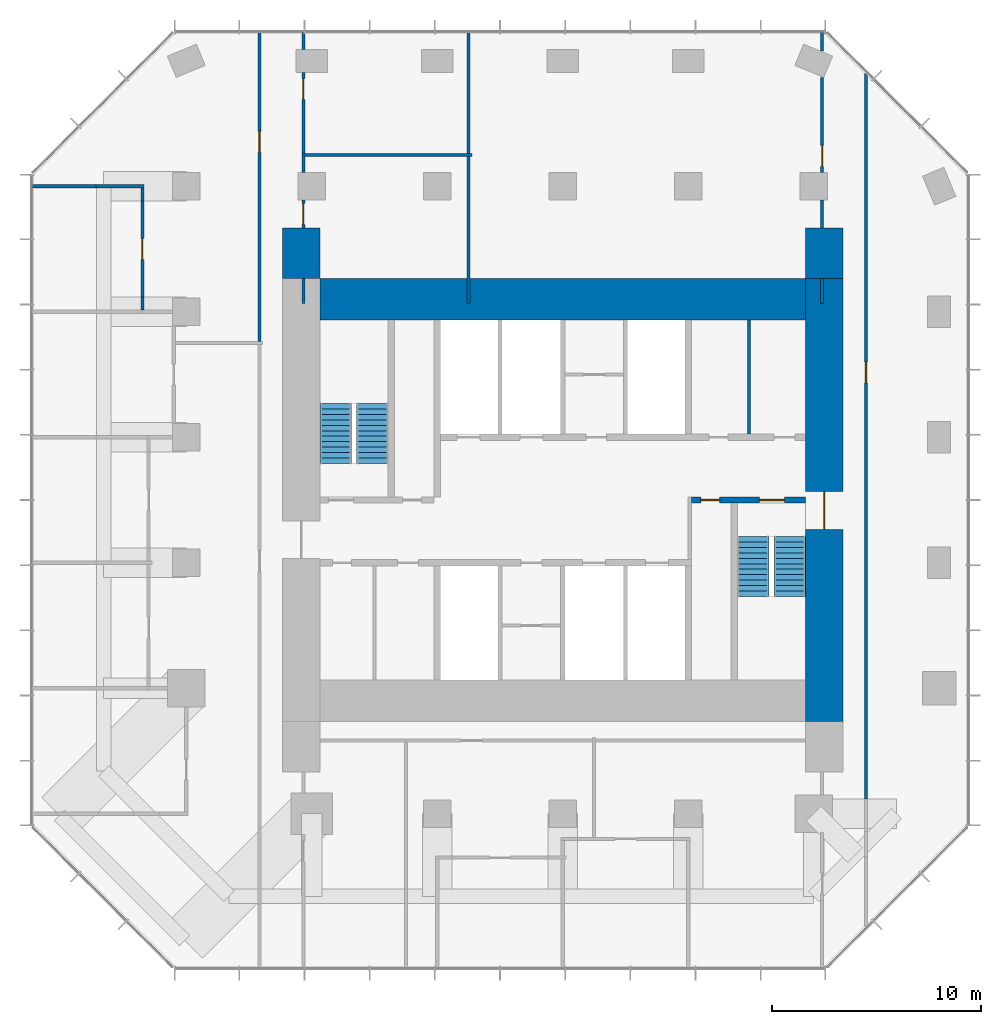
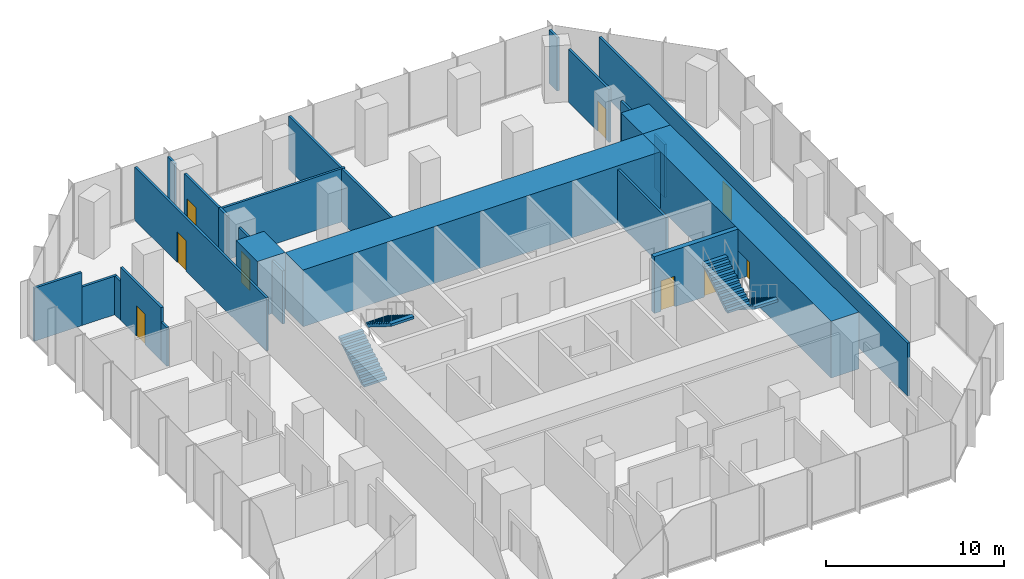
# One storey, part 10 of 11: 25 walls, 9 doors, 4 stair flights, 9 openings, 2 elements without a shape of their own.
"""IFC4 building model written with IfcOpenShell, lengths in metres."""

from ifc_helpers import new_model, si_unit, direction, frame, frame_2d, origin, place, context, subcontext, project, spatial, polyline, rectangle, outline, extrude, material, layer, layer_set, type_object, element, fill, aggregate, save


model = new_model("IFC4")

# Units and contexts
model_context = context("Model", 3, precision=1e-05, world=origin(), true_north=direction((0.0, 1.0)))
body_context = subcontext(model_context, "Body", "Model", "MODEL_VIEW")
ifc_project = project(units=[si_unit("LENGTHUNIT", "METRE"), si_unit("AREAUNIT", "SQUARE_METRE"), si_unit("VOLUMEUNIT", "CUBIC_METRE"), si_unit("PLANEANGLEUNIT", "RADIAN"), si_unit("MASSUNIT", "GRAM", prefix="KILO")], contexts=[model_context])

# Site, building, storey
site_placement = place(None, origin())
site = spatial("IfcSite", under=ifc_project, at=site_placement, CompositionType="ELEMENT")
building_placement = place(site_placement, origin())
building = spatial("IfcBuilding", under=site, at=building_placement, Name="Highveld Stack Headquarters", CompositionType="ELEMENT")
storey_placement = place(building_placement, frame((0.0, 0.0, 227.89990234375)))
storey = spatial("IfcBuildingStorey", under=building, at=storey_placement, Name="L56", CompositionType="ELEMENT", Elevation=227.89990234375)

# Wall, opening, door
ifc_material_1 = material(Name="Concrete C60/75", Category="concrete")
ifc_layer_1 = layer(ifc_material_1, 1.800048828125)
ifc_layer_set_1 = layer_set([ifc_layer_1], Name="Concrete C60/75")
wall_type_1 = type_object("IfcWallType", Name="CORE WALL 1800 C60/75", PredefinedType="SHEAR", material=ifc_layer_set_1)
wall_1_placement = place(storey_placement, frame((18.5, -7.60009765625, 0.0), z_axis=(0.0, 0.0, 1.0), x_axis=(0.0, 1.0, 0.0)))
wall_1 = element("IfcWall", 1, at=wall_1_placement, inside=storey, type_object=wall_type_1, Name="Core wall E L56", PredefinedType="SHEAR", context=body_context, shape_type="SweptSolid", body=[
    extrude(rectangle(XDim=21.2001953125, YDim=1.800048828125, at=frame_2d((10.60009765625, 0.0))), origin(), (0.0, 0.0, 1.0), 3.900146484375),
])
opening_1_placement = place(wall_1_placement, frame((9.199951171875, 0.0, 0.0)))
opening_1 = element("IfcOpeningElement", 2, at=opening_1_placement, cuts=wall_1, Name="Opening L56-02", PredefinedType="OPENING", context=body_context, shape_type="SweptSolid", body=[
    extrude(rectangle(XDim=1.800048828125, YDim=2.39990234375, at=frame_2d((0.89990234375, 1.199951171875))), frame((0.0, 0.909912109375, 0.0), z_axis=(0.0, -1.0, 0.0), x_axis=(1.0, 0.0, 0.0)), (0.0, 0.0, 1.0), 1.820068359375),
])
ifc_material_2 = material(Name="Steel fire door", Category="steel")
door_type_1 = type_object("IfcDoorType", Name="LOBBY FIRE DOOR D4 1800x2400", OperationType="DOUBLE_DOOR_SINGLE_SWING", PredefinedType="DOOR", material=ifc_material_2)
door_1_placement = place(opening_1_placement, origin())
door_1 = element("IfcDoor", 3, at=door_1_placement, inside=storey, type_object=door_type_1, Name="Core east door L56", OperationType="DOUBLE_DOOR_SINGLE_SWING", OverallHeight=2.39990234375, OverallWidth=1.800048828125, PredefinedType="DOOR", context=body_context, shape_type="SweptSolid", body=[
    extrude(rectangle(XDim=1.800048828125, YDim=2.39990234375, at=frame_2d((0.89990234375, 1.199951171875))), frame((0.0, 0.02490234375, 0.0), z_axis=(0.0, -1.0, 0.0), x_axis=(1.0, 0.0, 0.0)), (0.0, 0.0, 1.0), 0.050048828125),
])
fill(opening_1, door_1)

# Wall
ifc_material_3 = material(Name="Concrete C60/75", Category="concrete")
ifc_layer_2 = layer(ifc_material_3, 2.0)
ifc_layer_set_2 = layer_set([ifc_layer_2], Name="Concrete C60/75")
wall_type_2 = type_object("IfcWallType", Name="CORE WALL 2000 C60/75", PredefinedType="SHEAR", material=ifc_layer_set_2)
wall_2_placement = place(storey_placement, frame((-5.60009765625, 12.60009765625, 0.0), z_axis=(0.0, 0.0, 1.0), x_axis=(1.0, 0.0, 0.0)))
element("IfcWall", 4, at=wall_2_placement, inside=storey, type_object=wall_type_2, Name="Core wall N L56", PredefinedType="SHEAR", context=body_context, shape_type="SweptSolid", body=[
    extrude(rectangle(XDim=23.2001953125, YDim=2.0, at=frame_2d((11.60009765625, 0.0))), origin(), (0.0, 0.0, 1.0), 3.900146484375),
])

# Wall, openings, doors
ifc_material_4 = material(Name="Concrete C60/75", Category="concrete")
ifc_layer_3 = layer(ifc_material_4, 0.300048828125)
ifc_layer_set_3 = layer_set([ifc_layer_3], Name="Concrete C60/75")
wall_type_3 = type_object("IfcWallType", Name="CORE WALL 300 C60/75", PredefinedType="SHEAR", material=ifc_layer_set_3)
wall_3_placement = place(storey_placement, frame((12.14990234375, 3.0, 0.0), z_axis=(0.0, 0.0, 1.0), x_axis=(1.0, 0.0, 0.0)))
wall_3 = element("IfcWall", 5, at=wall_3_placement, inside=storey, type_object=wall_type_3, Name="Core wall I-Y3E L56", PredefinedType="SHEAR", context=body_context, shape_type="SweptSolid", body=[
    extrude(rectangle(XDim=5.4501953125, YDim=0.300048828125, at=frame_2d((2.72509765625, 0.0))), origin(), (0.0, 0.0, 1.0), 3.900146484375),
])
opening_2_placement = place(wall_3_placement, frame((3.25, 0.0, 0.0)))
opening_2 = element("IfcOpeningElement", 6, at=opening_2_placement, cuts=wall_3, Name="Opening L56-05", PredefinedType="OPENING", context=body_context, shape_type="SweptSolid", body=[
    extrude(rectangle(XDim=1.199951171875, YDim=2.10009765625, at=frame_2d((0.60009765625, 1.050048828125))), frame((0.0, 0.159912109375, 0.0), z_axis=(0.0, -1.0, 0.0), x_axis=(1.0, 0.0, 0.0)), (0.0, 0.0, 1.0), 0.320068359375),
])
opening_3_placement = place(wall_3_placement, frame((0.449951171875, 0.0, 0.0)))
opening_3 = element("IfcOpeningElement", 7, at=opening_3_placement, cuts=wall_3, Name="Opening L56-06", PredefinedType="OPENING", context=body_context, shape_type="SweptSolid", body=[
    extrude(rectangle(XDim=0.89990234375, YDim=2.10009765625, at=frame_2d((0.449951171875, 1.050048828125))), frame((0.0, 0.159912109375, 0.0), z_axis=(0.0, -1.0, 0.0), x_axis=(1.0, 0.0, 0.0)), (0.0, 0.0, 1.0), 0.320068359375),
])
ifc_material_5 = material(Name="Steel fire door", Category="steel")
door_type_2 = type_object("IfcDoorType", Name="RISER ACCESS DOOR D5 900x2100", OperationType="SINGLE_SWING_LEFT", PredefinedType="DOOR", material=ifc_material_5)
door_2_placement = place(opening_3_placement, origin())
door_2 = element("IfcDoor", 8, at=door_2_placement, inside=storey, type_object=door_type_2, Name="Riser R2 door L56", OperationType="SINGLE_SWING_LEFT", OverallHeight=2.10009765625, OverallWidth=0.89990234375, PredefinedType="DOOR", context=body_context, shape_type="SweptSolid", body=[
    extrude(rectangle(XDim=0.89990234375, YDim=2.10009765625, at=frame_2d((0.449951171875, 1.050048828125))), frame((0.0, 0.02490234375, 0.0), z_axis=(0.0, -1.0, 0.0), x_axis=(1.0, 0.0, 0.0)), (0.0, 0.0, 1.0), 0.050048828125),
])
fill(opening_3, door_2)
ifc_material_6 = material(Name="Steel fire door", Category="steel")
door_type_3 = type_object("IfcDoorType", Name="STAIR FIRE DOOR D3 1200x2100", OperationType="SINGLE_SWING_LEFT", PredefinedType="DOOR", material=ifc_material_6)
door_3_placement = place(opening_2_placement, origin())
door_3 = element("IfcDoor", 9, at=door_3_placement, inside=storey, type_object=door_type_3, Name="Stair S2 door L56", OperationType="SINGLE_SWING_RIGHT", OverallHeight=2.10009765625, OverallWidth=1.199951171875, PredefinedType="DOOR", context=body_context, shape_type="SweptSolid", body=[
    extrude(rectangle(XDim=1.199951171875, YDim=2.10009765625, at=frame_2d((0.60009765625, 1.050048828125))), frame((0.0, 0.02490234375, 0.0), z_axis=(0.0, -1.0, 0.0), x_axis=(1.0, 0.0, 0.0)), (0.0, 0.0, 1.0), 0.050048828125),
])
fill(opening_2, door_3)

# Walls
ifc_material_7 = material(Name="Concrete C60/75", Category="concrete")
ifc_layer_4 = layer(ifc_material_7, 1.800048828125)
ifc_layer_set_4 = layer_set([ifc_layer_4], Name="Concrete C60/75")
wall_type_4 = type_object("IfcWallType", Name="CORE WING WALL 1800 C60/75", PredefinedType="SHEAR", material=ifc_layer_set_4)
for number, where, z_axis, x_axis, name in (
    (10, (-6.5, 13.60009765625, 0.0), (0.0, 0.0, 1.0), (0.0, 1.0, 0.0), "Core wing wall WN L56"),
    (11, (18.5, 13.60009765625, 0.0), (0.0, 0.0, 1.0), (0.0, 1.0, 0.0), "Core wing wall EN L56"),
):
    element("IfcWall", number, at=place(storey_placement, frame(where, z_axis=z_axis, x_axis=x_axis)), inside=storey, type_object=wall_type_4, Name=name, PredefinedType="SHEAR", context=body_context, shape_type="SweptSolid", body=[
        extrude(rectangle(XDim=2.39990234375, YDim=1.800048828125, at=frame_2d((1.199951171875, 0.0))), origin(), (0.0, 0.0, 1.0), 3.900146484375),
    ])
ifc_material_8 = material(Name="Gypsum plasterboard on steel studs", Category="steel")
ifc_layer_5 = layer(ifc_material_8, 0.14990234375)
ifc_layer_set_5 = layer_set([ifc_layer_5], Name="Gypsum plasterboard on steel studs")
wall_type_5 = type_object("IfcWallType", Name="PARTITION 150 PLASTERBOARD", PredefinedType="PARTITIONING", material=ifc_layer_set_5)
wall_4_placement = place(storey_placement, frame((-19.39990234375, 18.0, 0.0), z_axis=(0.0, 0.0, 1.0), x_axis=(1.0, 0.0, 0.0)))
element("IfcWall", 12, at=wall_4_placement, inside=storey, type_object=wall_type_5, Name="Partition Focus room L56", PredefinedType="PARTITIONING", context=body_context, shape_type="SweptSolid", body=[
    extrude(rectangle(XDim=3.08984375, YDim=0.14990234375, at=frame_2d((1.544921875, 0.0))), origin(), (0.0, 0.0, 1.0), 3.650146484375),
])
wall_5_placement = place(storey_placement, frame((-16.31005859375, 18.0, 0.0), z_axis=(0.0, 0.0, 1.0), x_axis=(1.0, 0.0, 0.0)))
element("IfcWall", 13, at=wall_5_placement, inside=storey, type_object=wall_type_5, Name="Partition Focus room L56", PredefinedType="PARTITIONING", context=body_context, shape_type="SweptSolid", body=[
    extrude(rectangle(XDim=2.28515625, YDim=0.14990234375, at=frame_2d((1.142578125, 0.0))), origin(), (0.0, 0.0, 1.0), 2.650146484375),
])
wall_6_placement = place(storey_placement, frame((-14.10009765625, 12.074951171875, 0.0), z_axis=(0.0, 0.0, 1.0), x_axis=(0.0, 1.0, 0.0)))
element("IfcWall", 14, at=wall_6_placement, inside=storey, type_object=wall_type_5, Name="Partition Focus room L56", PredefinedType="PARTITIONING", context=body_context, shape_type="SweptSolid", body=[
    extrude(rectangle(XDim=0.635009765625, YDim=0.14990234375, at=frame_2d((0.3173828125, 0.0))), origin(), (0.0, 0.0, 1.0), 2.650146484375),
])

# Wall, opening, door
wall_7_placement = place(storey_placement, frame((-14.10009765625, 12.7099609375, 0.0), z_axis=(0.0, 0.0, 1.0), x_axis=(0.0, 1.0, 0.0)))
wall_7 = element("IfcWall", 15, at=wall_7_placement, inside=storey, type_object=wall_type_5, Name="Partition Focus room L56", PredefinedType="PARTITIONING", context=body_context, shape_type="SweptSolid", body=[
    extrude(rectangle(XDim=4.580078125, YDim=0.14990234375, at=frame_2d((2.2900390625, 0.0))), origin(), (0.0, 0.0, 1.0), 3.650146484375),
])
opening_4_placement = place(wall_7_placement, frame((1.7900390625, 0.0, 0.0)))
opening_4 = element("IfcOpeningElement", 16, at=opening_4_placement, cuts=wall_7, Name="Opening L56-21", PredefinedType="OPENING", context=body_context, shape_type="SweptSolid", body=[
    extrude(rectangle(XDim=1.0, YDim=2.10009765625, at=frame_2d((0.5, 1.050048828125))), frame((0.0, 0.0849609375, 0.0), z_axis=(0.0, -1.0, 0.0), x_axis=(1.0, 0.0, 0.0)), (0.0, 0.0, 1.0), 0.169921875),
])
ifc_material_9 = material(Name="Timber door, oiled ash", Category="wood")
door_type_4 = type_object("IfcDoorType", Name="ROOM DOOR D6 1000x2100", OperationType="SINGLE_SWING_LEFT", PredefinedType="DOOR", material=ifc_material_9)
door_4_placement = place(opening_4_placement, origin())
door_4 = element("IfcDoor", 17, at=door_4_placement, inside=storey, type_object=door_type_4, Name="Focus room door 1 L56", OperationType="SINGLE_SWING_RIGHT", OverallHeight=2.10009765625, OverallWidth=1.0, PredefinedType="DOOR", context=body_context, shape_type="SweptSolid", body=[
    extrude(rectangle(XDim=1.0, YDim=2.10009765625, at=frame_2d((0.5, 1.050048828125))), frame((0.0, 0.02490234375, 0.0), z_axis=(0.0, -1.0, 0.0), x_axis=(1.0, 0.0, 0.0)), (0.0, 0.0, 1.0), 0.050048828125),
])
fill(opening_4, door_4)

# Wall
wall_8_placement = place(storey_placement, frame((-14.10009765625, 17.2900390625, 0.0), z_axis=(0.0, 0.0, 1.0), x_axis=(0.0, 1.0, 0.0)))
element("IfcWall", 18, at=wall_8_placement, inside=storey, type_object=wall_type_5, Name="Partition Focus room L56", PredefinedType="PARTITIONING", context=body_context, shape_type="SweptSolid", body=[
    extrude(rectangle(XDim=0.635009765625, YDim=0.14990234375, at=frame_2d((0.3173828125, 0.0))), origin(), (0.0, 0.0, 1.0), 2.650146484375),
])

# Wall, opening, door
wall_9_placement = place(storey_placement, frame((-8.5, 10.574951171875, 0.0), z_axis=(0.0, 0.0, 1.0), x_axis=(0.0, 1.0, 0.0)))
wall_9 = element("IfcWall", 19, at=wall_9_placement, inside=storey, type_object=wall_type_5, Name="Partition office neighbourhood L56", PredefinedType="PARTITIONING", context=body_context, shape_type="SweptSolid", body=[
    extrude(rectangle(XDim=14.824951171875, YDim=0.14990234375, at=frame_2d((7.41259765625, 0.0))), origin(), (0.0, 0.0, 1.0), 3.650146484375),
])
opening_5_placement = place(wall_9_placement, frame((9.044921875, 0.0, 0.0)))
opening_5 = element("IfcOpeningElement", 20, at=opening_5_placement, cuts=wall_9, Name="Opening L56-25", PredefinedType="OPENING", context=body_context, shape_type="SweptSolid", body=[
    extrude(rectangle(XDim=1.0, YDim=2.10009765625, at=frame_2d((0.5, 1.050048828125))), frame((0.0, 0.0849609375, 0.0), z_axis=(0.0, -1.0, 0.0), x_axis=(1.0, 0.0, 0.0)), (0.0, 0.0, 1.0), 0.169921875),
])
door_5_placement = place(opening_5_placement, origin())
door_5 = element("IfcDoor", 21, at=door_5_placement, inside=storey, type_object=door_type_4, Name="Office neighbourhood door L56", OperationType="SINGLE_SWING_RIGHT", OverallHeight=2.10009765625, OverallWidth=1.0, PredefinedType="DOOR", context=body_context, shape_type="SweptSolid", body=[
    extrude(rectangle(XDim=1.0, YDim=2.10009765625, at=frame_2d((0.5, 1.050048828125))), frame((0.0, 0.02490234375, 0.0), z_axis=(0.0, -1.0, 0.0), x_axis=(1.0, 0.0, 0.0)), (0.0, 0.0, 1.0), 0.050048828125),
])
fill(opening_5, door_5)

# Wall
wall_10_placement = place(storey_placement, frame((-6.39990234375, 12.39990234375, 0.0), z_axis=(0.0, 0.0, 1.0), x_axis=(0.0, 1.0, 0.0)))
element("IfcWall", 22, at=wall_10_placement, inside=storey, type_object=wall_type_5, Name="Partition office neighbourhood L56", PredefinedType="PARTITIONING", context=body_context, shape_type="SweptSolid", body=[
    extrude(rectangle(XDim=1.2001953125, YDim=0.14990234375, at=frame_2d((0.60009765625, 0.0))), origin(), (0.0, 0.0, 1.0), 3.650146484375),
])

# Wall, opening, door
wall_11_placement = place(storey_placement, frame((-6.39990234375, 16.0, 0.0), z_axis=(0.0, 0.0, 1.0), x_axis=(0.0, 1.0, 0.0)))
wall_11 = element("IfcWall", 23, at=wall_11_placement, inside=storey, type_object=wall_type_5, Name="Partition office neighbourhood L56", PredefinedType="PARTITIONING", context=body_context, shape_type="SweptSolid", body=[
    extrude(rectangle(XDim=1.35009765625, YDim=0.14990234375, at=frame_2d((0.675048828125, 0.0))), origin(), (0.0, 0.0, 1.0), 3.650146484375),
])
opening_6_placement = place(wall_11_placement, frame((0.175048828125, 0.0, 0.0)))
opening_6 = element("IfcOpeningElement", 24, at=opening_6_placement, cuts=wall_11, Name="Opening L56-29", PredefinedType="OPENING", context=body_context, shape_type="SweptSolid", body=[
    extrude(rectangle(XDim=1.0, YDim=2.10009765625, at=frame_2d((0.5, 1.050048828125))), frame((0.0, 0.0849609375, 0.0), z_axis=(0.0, -1.0, 0.0), x_axis=(1.0, 0.0, 0.0)), (0.0, 0.0, 1.0), 0.169921875),
])
door_6_placement = place(opening_6_placement, origin())
door_6 = element("IfcDoor", 25, at=door_6_placement, inside=storey, type_object=door_type_4, Name="Office neighbourhood door L56", OperationType="SINGLE_SWING_LEFT", OverallHeight=2.10009765625, OverallWidth=1.0, PredefinedType="DOOR", context=body_context, shape_type="SweptSolid", body=[
    extrude(rectangle(XDim=1.0, YDim=2.10009765625, at=frame_2d((0.5, 1.050048828125))), frame((0.0, 0.02490234375, 0.0), z_axis=(0.0, -1.0, 0.0), x_axis=(1.0, 0.0, 0.0)), (0.0, 0.0, 1.0), 0.050048828125),
])
fill(opening_6, door_6)

# Wall
wall_12_placement = place(storey_placement, frame((-6.39990234375, 18.64990234375, 0.0), z_axis=(0.0, 0.0, 1.0), x_axis=(0.0, 1.0, 0.0)))
element("IfcWall", 26, at=wall_12_placement, inside=storey, type_object=wall_type_5, Name="Partition office neighbourhood L56", PredefinedType="PARTITIONING", context=body_context, shape_type="SweptSolid", body=[
    extrude(rectangle(XDim=0.925048828125, YDim=0.14990234375, at=frame_2d((0.46240234375, 0.0))), origin(), (0.0, 0.0, 1.0), 3.650146484375),
])

# Wall, opening, door
wall_13_placement = place(storey_placement, frame((-6.39990234375, 19.5, 0.0), z_axis=(0.0, 0.0, 1.0), x_axis=(0.0, 1.0, 0.0)))
wall_13 = element("IfcWall", 27, at=wall_13_placement, inside=storey, type_object=wall_type_5, Name="Partition office neighbourhood L56", PredefinedType="PARTITIONING", context=body_context, shape_type="SweptSolid", body=[
    extrude(rectangle(XDim=3.949951171875, YDim=0.14990234375, at=frame_2d((1.97509765625, 0.0))), origin(), (0.0, 0.0, 1.0), 3.650146484375),
])
opening_7_placement = place(wall_13_placement, frame((2.64990234375, 0.0, 0.0)))
opening_7 = element("IfcOpeningElement", 28, at=opening_7_placement, cuts=wall_13, Name="Opening L56-27", PredefinedType="OPENING", context=body_context, shape_type="SweptSolid", body=[
    extrude(rectangle(XDim=1.0, YDim=2.10009765625, at=frame_2d((0.5, 1.050048828125))), frame((0.0, 0.0849609375, 0.0), z_axis=(0.0, -1.0, 0.0), x_axis=(1.0, 0.0, 0.0)), (0.0, 0.0, 1.0), 0.169921875),
])
door_7_placement = place(opening_7_placement, origin())
door_7 = element("IfcDoor", 29, at=door_7_placement, inside=storey, type_object=door_type_4, Name="Office neighbourhood door L56", OperationType="SINGLE_SWING_RIGHT", OverallHeight=2.10009765625, OverallWidth=1.0, PredefinedType="DOOR", context=body_context, shape_type="SweptSolid", body=[
    extrude(rectangle(XDim=1.0, YDim=2.10009765625, at=frame_2d((0.5, 1.050048828125))), frame((0.0, 0.02490234375, 0.0), z_axis=(0.0, -1.0, 0.0), x_axis=(1.0, 0.0, 0.0)), (0.0, 0.0, 1.0), 0.050048828125),
])
fill(opening_7, door_7)

# Walls
wall_14_placement = place(storey_placement, frame((-6.39990234375, 24.550048828125, 0.0), z_axis=(0.0, 0.0, 1.0), x_axis=(0.0, 1.0, 0.0)))
element("IfcWall", 30, at=wall_14_placement, inside=storey, type_object=wall_type_5, Name="Partition office neighbourhood L56", PredefinedType="PARTITIONING", context=body_context, shape_type="SweptSolid", body=[
    extrude(rectangle(XDim=0.800048828125, YDim=0.14990234375, at=frame_2d((0.39990234375, 0.0))), origin(), (0.0, 0.0, 1.0), 3.650146484375),
])
wall_15_placement = place(storey_placement, frame((-6.324951171875, 19.5, 0.0), z_axis=(0.0, 0.0, 1.0), x_axis=(1.0, 0.0, 0.0)))
element("IfcWall", 31, at=wall_15_placement, inside=storey, type_object=wall_type_5, Name="Partition office neighbourhood L56", PredefinedType="PARTITIONING", context=body_context, shape_type="SweptSolid", body=[
    extrude(rectangle(XDim=7.974853515625, YDim=0.14990234375, at=frame_2d((3.9873046875, 0.0))), origin(), (0.0, 0.0, 1.0), 3.650146484375),
])
wall_16_placement = place(storey_placement, frame((1.5, 12.39990234375, 0.0), z_axis=(0.0, 0.0, 1.0), x_axis=(0.0, 1.0, 0.0)))
element("IfcWall", 32, at=wall_16_placement, inside=storey, type_object=wall_type_5, Name="Partition office neighbourhood L56", PredefinedType="PARTITIONING", context=body_context, shape_type="SweptSolid", body=[
    extrude(rectangle(XDim=7.025146484375, YDim=0.14990234375, at=frame_2d((3.5126953125, 0.0))), origin(), (0.0, 0.0, 1.0), 3.650146484375),
])
wall_17_placement = place(storey_placement, frame((1.5, 19.574951171875, 0.0), z_axis=(0.0, 0.0, 1.0), x_axis=(0.0, 1.0, 0.0)))
element("IfcWall", 33, at=wall_17_placement, inside=storey, type_object=wall_type_5, Name="Partition office neighbourhood L56", PredefinedType="PARTITIONING", context=body_context, shape_type="SweptSolid", body=[
    extrude(rectangle(XDim=5.824951171875, YDim=0.14990234375, at=frame_2d((2.91259765625, 0.0))), origin(), (0.0, 0.0, 1.0), 3.650146484375),
])
wall_18_placement = place(storey_placement, frame((18.39990234375, 12.39990234375, 0.0), z_axis=(0.0, 0.0, 1.0), x_axis=(0.0, 1.0, 0.0)))
element("IfcWall", 34, at=wall_18_placement, inside=storey, type_object=wall_type_5, Name="Partition office neighbourhood L56", PredefinedType="PARTITIONING", context=body_context, shape_type="SweptSolid", body=[
    extrude(rectangle(XDim=1.2001953125, YDim=0.14990234375, at=frame_2d((0.60009765625, 0.0))), origin(), (0.0, 0.0, 1.0), 3.650146484375),
])
wall_19_placement = place(storey_placement, frame((18.39990234375, 16.0, 0.0), z_axis=(0.0, 0.0, 1.0), x_axis=(0.0, 1.0, 0.0)))
element("IfcWall", 35, at=wall_19_placement, inside=storey, type_object=wall_type_5, Name="Partition office neighbourhood L56", PredefinedType="PARTITIONING", context=body_context, shape_type="SweptSolid", body=[
    extrude(rectangle(XDim=1.35009765625, YDim=0.14990234375, at=frame_2d((0.675048828125, 0.0))), origin(), (0.0, 0.0, 1.0), 3.650146484375),
])

# Wall, opening, door
wall_20_placement = place(storey_placement, frame((18.39990234375, 18.64990234375, 0.0), z_axis=(0.0, 0.0, 1.0), x_axis=(0.0, 1.0, 0.0)))
wall_20 = element("IfcWall", 36, at=wall_20_placement, inside=storey, type_object=wall_type_5, Name="Partition office neighbourhood L56", PredefinedType="PARTITIONING", context=body_context, shape_type="SweptSolid", body=[
    extrude(rectangle(XDim=4.55810546875, YDim=0.14990234375, at=frame_2d((2.279052734375, 0.0))), origin(), (0.0, 0.0, 1.0), 3.650146484375),
])
opening_8_placement = place(wall_20_placement, frame((0.300048828125, 0.0, 0.0)))
opening_8 = element("IfcOpeningElement", 37, at=opening_8_placement, cuts=wall_20, Name="Opening L56-26", PredefinedType="OPENING", context=body_context, shape_type="SweptSolid", body=[
    extrude(rectangle(XDim=1.0, YDim=2.10009765625, at=frame_2d((0.5, 1.050048828125))), frame((0.0, 0.0849609375, 0.0), z_axis=(0.0, -1.0, 0.0), x_axis=(1.0, 0.0, 0.0)), (0.0, 0.0, 1.0), 0.169921875),
])
door_8_placement = place(opening_8_placement, origin())
door_8 = element("IfcDoor", 38, at=door_8_placement, inside=storey, type_object=door_type_4, Name="Office neighbourhood door L56", OperationType="SINGLE_SWING_LEFT", OverallHeight=2.10009765625, OverallWidth=1.0, PredefinedType="DOOR", context=body_context, shape_type="SweptSolid", body=[
    extrude(rectangle(XDim=1.0, YDim=2.10009765625, at=frame_2d((0.5, 1.050048828125))), frame((0.0, 0.02490234375, 0.0), z_axis=(0.0, -1.0, 0.0), x_axis=(1.0, 0.0, 0.0)), (0.0, 0.0, 1.0), 0.050048828125),
])
fill(opening_8, door_8)

# Wall
wall_21_placement = place(storey_placement, frame((18.39990234375, 24.460693359375, 0.0), z_axis=(0.0, 0.0, 1.0), x_axis=(0.0, 1.0, 0.0)))
element("IfcWall", 39, at=wall_21_placement, inside=storey, type_object=wall_type_5, Name="Partition office neighbourhood L56", PredefinedType="PARTITIONING", context=body_context, shape_type="SweptSolid", body=[
    extrude(rectangle(XDim=0.939208984375, YDim=0.14990234375, at=frame_2d((0.4697265625, 0.0))), origin(), (0.0, 0.0, 1.0), 3.650146484375),
])

# Wall, opening, door
wall_22_placement = place(storey_placement, frame((20.5, -11.2900390625, 0.0), z_axis=(0.0, 0.0, 1.0), x_axis=(0.0, 1.0, 0.0)))
wall_22 = element("IfcWall", 40, at=wall_22_placement, inside=storey, type_object=wall_type_5, Name="Partition office neighbourhood L56", PredefinedType="PARTITIONING", context=body_context, shape_type="SweptSolid", body=[
    extrude(rectangle(XDim=34.677978515625, YDim=0.14990234375, at=frame_2d((17.3388671875, 0.0))), origin(), (0.0, 0.0, 1.0), 3.650146484375),
])
opening_9_placement = place(wall_22_placement, frame((19.89208984375, 0.0, 0.0)))
opening_9 = element("IfcOpeningElement", 41, at=opening_9_placement, cuts=wall_22, Name="Opening L56-24", PredefinedType="OPENING", context=body_context, shape_type="SweptSolid", body=[
    extrude(rectangle(XDim=1.0, YDim=2.10009765625, at=frame_2d((0.5, 1.050048828125))), frame((0.0, 0.0849609375, 0.0), z_axis=(0.0, -1.0, 0.0), x_axis=(1.0, 0.0, 0.0)), (0.0, 0.0, 1.0), 0.169921875),
])
door_9_placement = place(opening_9_placement, origin())
door_9 = element("IfcDoor", 42, at=door_9_placement, inside=storey, type_object=door_type_4, Name="Office neighbourhood door L56", OperationType="SINGLE_SWING_RIGHT", OverallHeight=2.10009765625, OverallWidth=1.0, PredefinedType="DOOR", context=body_context, shape_type="SweptSolid", body=[
    extrude(rectangle(XDim=1.0, YDim=2.10009765625, at=frame_2d((0.5, 1.050048828125))), frame((0.0, 0.02490234375, 0.0), z_axis=(0.0, -1.0, 0.0), x_axis=(1.0, 0.0, 0.0)), (0.0, 0.0, 1.0), 0.050048828125),
])
fill(opening_9, door_9)

# Wall
ifc_material_10 = material(Name="Concrete blockwork, tiled", Category="masonry")
ifc_layer_6 = layer(ifc_material_10, 0.14990234375)
ifc_layer_set_6 = layer_set([ifc_layer_6], Name="Concrete blockwork, tiled")
wall_type_6 = type_object("IfcWallType", Name="WC PARTITION 150", PredefinedType="PLUMBINGWALL", material=ifc_layer_set_6)
wall_23_placement = place(storey_placement, frame((14.89990234375, 6.14990234375, 0.0), z_axis=(0.0, 0.0, 1.0), x_axis=(0.0, 1.0, 0.0)))
element("IfcWall", 43, at=wall_23_placement, inside=storey, type_object=wall_type_6, Name="Toilet partition L56", PredefinedType="PLUMBINGWALL", context=body_context, shape_type="SweptSolid", body=[
    extrude(rectangle(XDim=5.4501953125, YDim=0.14990234375, at=frame_2d((2.72509765625, 0.0))), origin(), (0.0, 0.0, 1.0), 3.650146484375),
])

# Stair, stair flights
ifc_material_11 = material(Name="Concrete C40/50, precast", Category="concrete")
stair_type_1 = type_object("IfcStairType", Name="STAIR S1 HALF TURN 1500", PredefinedType="HALF_TURN_STAIR", material=ifc_material_11)
stair_1_placement = place(storey_placement, origin())
stair_1 = element("IfcStair", 44, at=stair_1_placement, inside=storey, type_object=stair_type_1, Name="Stair S1 L56", PredefinedType="HALF_TURN_STAIR")
ifc_material_12 = material(Name="Concrete C40/50, precast", Category="concrete")
stair_flight_type = type_object("IfcStairFlightType", Name="STAIR FLIGHT 1500 PRECAST", PredefinedType="STRAIGHT", material=ifc_material_12)
stair_flight_1_placement = place(storey_placement, frame((-4.85009765625, 4.75, 0.0), z_axis=(0.0, 0.0, 1.0), x_axis=(0.0, 1.0, 0.0)))
stair_flight_1 = element("IfcStairFlight", 45, at=stair_flight_1_placement, type_object=stair_flight_type, Name="S1 flight 1", NumberOfRisers=12, NumberOfTreads=11, PredefinedType="STRAIGHT", RiserHeight=0.1625, TreadLength=0.26, context=body_context, shape_type="SweptSolid", body=[
    extrude(outline(polyline([(0.0, 0.0), (0.0, 0.16259765625), (0.260009765625, 0.16259765625), (0.260009765625, 0.324951171875), (0.52001953125, 0.324951171875), (0.52001953125, 0.487548828125), (0.780029296875, 0.487548828125), (0.780029296875, 0.64990234375), (1.0400390625, 0.64990234375), (1.0400390625, 0.8125), (1.300048828125, 0.8125), (1.300048828125, 0.97509765625), (1.56005859375, 0.97509765625), (1.56005859375, 1.137451171875), (1.820068359375, 1.137451171875), (1.820068359375, 1.300048828125), (2.080078125, 1.300048828125), (2.080078125, 1.46240234375), (2.340087890625, 1.46240234375), (2.340087890625, 1.625), (2.60009765625, 1.625), (2.60009765625, 1.78759765625), (2.860107421875, 1.78759765625), (2.860107421875, 1.949951171875), (2.860107421875, 1.61083984375), (0.28271484375, 0.0), (0.0, 0.0)])), frame((0.0, 0.75, 0.0), z_axis=(0.0, -1.0, 0.0), x_axis=(1.0, 0.0, 0.0)), (0.0, 0.0, 1.0), 1.5),
])
stair_flight_2_placement = place(storey_placement, frame((-3.10009765625, 7.610107421875, 1.9501953125), z_axis=(0.0, 0.0, 1.0), x_axis=(0.0, -1.0, 0.0)))
stair_flight_2 = element("IfcStairFlight", 46, at=stair_flight_2_placement, type_object=stair_flight_type, Name="S1 flight 2", NumberOfRisers=12, NumberOfTreads=11, PredefinedType="STRAIGHT", RiserHeight=0.1625, TreadLength=0.26, context=body_context, shape_type="SweptSolid", body=[
    extrude(outline(polyline([(0.0, 0.0), (0.0, 0.16259765625), (0.260009765625, 0.16259765625), (0.260009765625, 0.324951171875), (0.52001953125, 0.324951171875), (0.52001953125, 0.487548828125), (0.780029296875, 0.487548828125), (0.780029296875, 0.64990234375), (1.0400390625, 0.64990234375), (1.0400390625, 0.8125), (1.300048828125, 0.8125), (1.300048828125, 0.97509765625), (1.56005859375, 0.97509765625), (1.56005859375, 1.137451171875), (1.820068359375, 1.137451171875), (1.820068359375, 1.300048828125), (2.080078125, 1.300048828125), (2.080078125, 1.46240234375), (2.340087890625, 1.46240234375), (2.340087890625, 1.625), (2.60009765625, 1.625), (2.60009765625, 1.78759765625), (2.860107421875, 1.78759765625), (2.860107421875, 1.949951171875), (2.860107421875, 1.61083984375), (0.28271484375, 0.0), (0.0, 0.0)])), frame((0.0, 0.75, 0.0), z_axis=(0.0, -1.0, 0.0), x_axis=(1.0, 0.0, 0.0)), (0.0, 0.0, 1.0), 1.5),
])
aggregate(stair_1, [stair_flight_1, stair_flight_2])

ifc_material_13 = material(Name="Concrete C40/50, precast", Category="concrete")
stair_type_2 = type_object("IfcStairType", Name="STAIR S2 HALF TURN 1500", PredefinedType="HALF_TURN_STAIR", material=ifc_material_13)
stair_2_placement = place(storey_placement, origin())
stair_2 = element("IfcStair", 47, at=stair_2_placement, inside=storey, type_object=stair_type_2, Name="Stair S2 L56", PredefinedType="HALF_TURN_STAIR")
stair_flight_3_placement = place(storey_placement, frame((16.85009765625, 1.25, 0.0), z_axis=(0.0, 0.0, 1.0), x_axis=(0.0, -1.0, 0.0)))
stair_flight_3 = element("IfcStairFlight", 48, at=stair_flight_3_placement, type_object=stair_flight_type, Name="S2 flight 1", NumberOfRisers=12, NumberOfTreads=11, PredefinedType="STRAIGHT", RiserHeight=0.1625, TreadLength=0.26, context=body_context, shape_type="SweptSolid", body=[
    extrude(outline(polyline([(0.0, 0.0), (0.0, 0.16259765625), (0.260009765625, 0.16259765625), (0.260009765625, 0.324951171875), (0.52001953125, 0.324951171875), (0.52001953125, 0.487548828125), (0.780029296875, 0.487548828125), (0.780029296875, 0.64990234375), (1.0400390625, 0.64990234375), (1.0400390625, 0.8125), (1.300048828125, 0.8125), (1.300048828125, 0.97509765625), (1.56005859375, 0.97509765625), (1.56005859375, 1.137451171875), (1.820068359375, 1.137451171875), (1.820068359375, 1.300048828125), (2.080078125, 1.300048828125), (2.080078125, 1.46240234375), (2.340087890625, 1.46240234375), (2.340087890625, 1.625), (2.60009765625, 1.625), (2.60009765625, 1.78759765625), (2.860107421875, 1.78759765625), (2.860107421875, 1.949951171875), (2.860107421875, 1.61083984375), (0.28271484375, 0.0), (0.0, 0.0)])), frame((0.0, 0.75, 0.0), z_axis=(0.0, -1.0, 0.0), x_axis=(1.0, 0.0, 0.0)), (0.0, 0.0, 1.0), 1.5),
])
stair_flight_4_placement = place(storey_placement, frame((15.10009765625, -1.610107421875, 1.9501953125), z_axis=(0.0, 0.0, 1.0), x_axis=(0.0, 1.0, 0.0)))
stair_flight_4 = element("IfcStairFlight", 49, at=stair_flight_4_placement, type_object=stair_flight_type, Name="S2 flight 2", NumberOfRisers=12, NumberOfTreads=11, PredefinedType="STRAIGHT", RiserHeight=0.1625, TreadLength=0.26, context=body_context, shape_type="SweptSolid", body=[
    extrude(outline(polyline([(0.0, 0.0), (0.0, 0.16259765625), (0.260009765625, 0.16259765625), (0.260009765625, 0.324951171875), (0.52001953125, 0.324951171875), (0.52001953125, 0.487548828125), (0.780029296875, 0.487548828125), (0.780029296875, 0.64990234375), (1.0400390625, 0.64990234375), (1.0400390625, 0.8125), (1.300048828125, 0.8125), (1.300048828125, 0.97509765625), (1.56005859375, 0.97509765625), (1.56005859375, 1.137451171875), (1.820068359375, 1.137451171875), (1.820068359375, 1.300048828125), (2.080078125, 1.300048828125), (2.080078125, 1.46240234375), (2.340087890625, 1.46240234375), (2.340087890625, 1.625), (2.60009765625, 1.625), (2.60009765625, 1.78759765625), (2.860107421875, 1.78759765625), (2.860107421875, 1.949951171875), (2.860107421875, 1.61083984375), (0.28271484375, 0.0), (0.0, 0.0)])), frame((0.0, 0.75, 0.0), z_axis=(0.0, -1.0, 0.0), x_axis=(1.0, 0.0, 0.0)), (0.0, 0.0, 1.0), 1.5),
])
aggregate(stair_2, [stair_flight_3, stair_flight_4])

save(model, "model.ifc")
